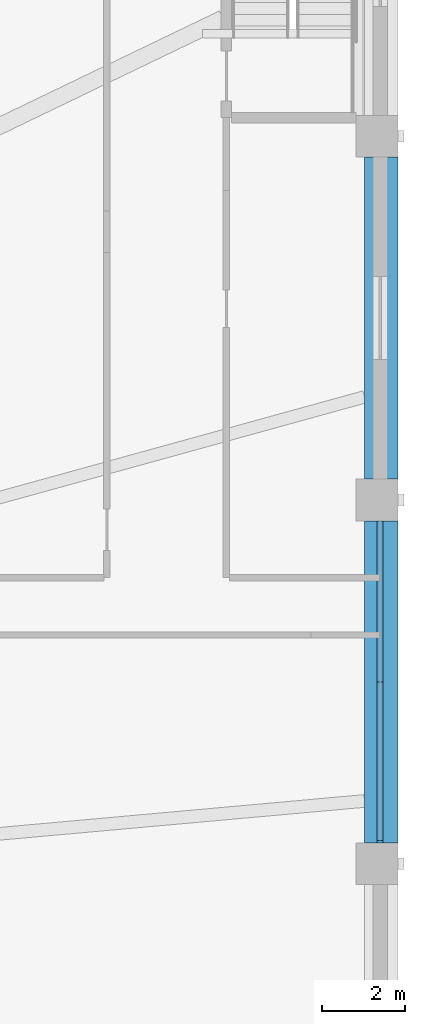
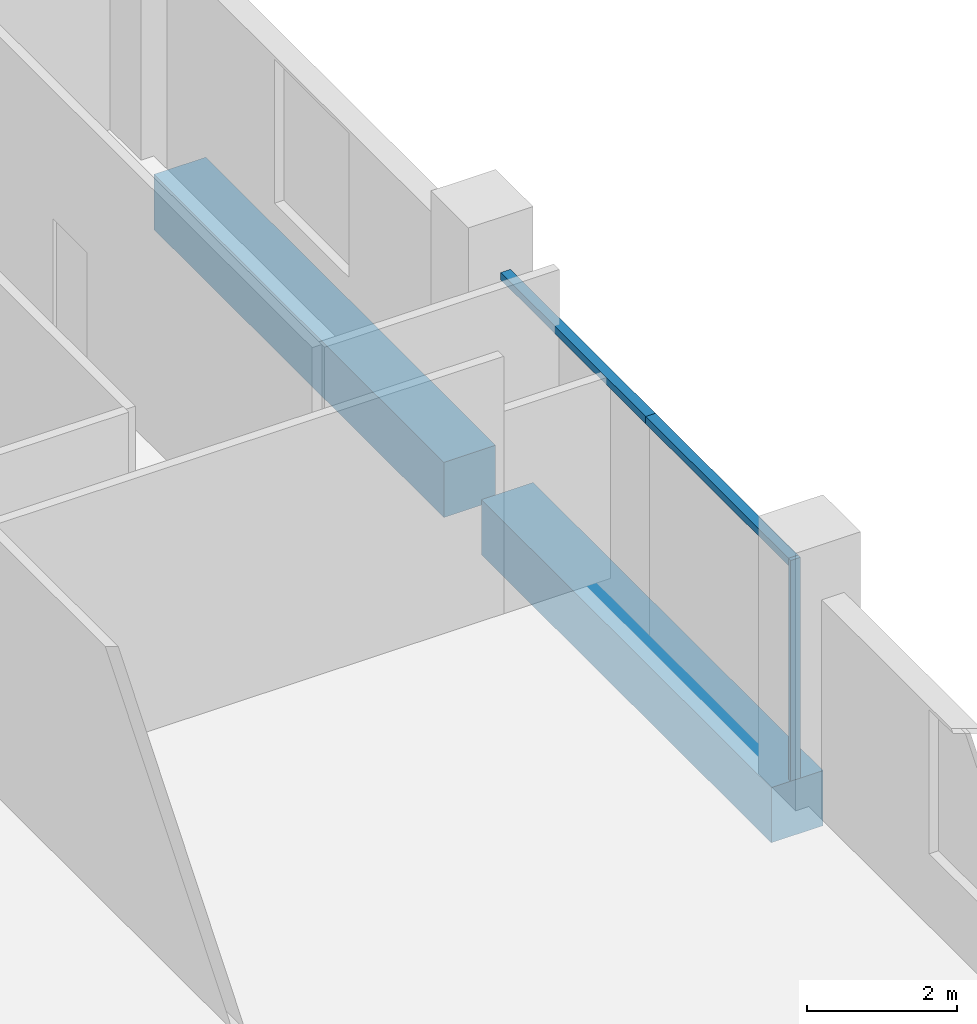
# One storey, part 9 of 33: 3 members, 2 beams, 1 element without a shape of its own.
"""IFC4 building model written with IfcOpenShell, lengths in metres."""

from ifc_helpers import new_model, si_unit, direction, frame, origin, origin_2d, place, context, subcontext, project, spatial, rectangle, extrude, material, layer, layer_set, material_profile, profile_set, type_object, element, aggregate, save


model = new_model("IFC4")

# Units and contexts
model_context = context("Model", 3, precision=1e-05, world=origin(), true_north=direction((0.0, 1.0)))
body_context = subcontext(model_context, "Body", "Model", "MODEL_VIEW")
ifc_project = project(units=[si_unit("LENGTHUNIT", "METRE"), si_unit("AREAUNIT", "SQUARE_METRE"), si_unit("VOLUMEUNIT", "CUBIC_METRE"), si_unit("PLANEANGLEUNIT", "RADIAN"), si_unit("MASSUNIT", "GRAM", prefix="KILO")], contexts=[model_context])

# Site, building, storey
site_placement = place(None, origin())
site = spatial("IfcSite", under=ifc_project, at=site_placement, CompositionType="ELEMENT")
building_placement = place(site_placement, origin())
building = spatial("IfcBuilding", under=site, at=building_placement, Name="Isthmus Gate Tower", CompositionType="ELEMENT")
storey_placement = place(building_placement, frame((0.0, 0.0, 22.5)))
storey = spatial("IfcBuildingStorey", under=building, at=storey_placement, Name="L03", CompositionType="ELEMENT", Elevation=22.5)

# Curtain wall, members
ifc_material_1 = material(Name="Aluminium, pale champagne anodised", Category="aluminium")
ifc_layer = layer(ifc_material_1, 0.14990234375)
ifc_layer_set = layer_set([ifc_layer], Name="CW-3 STOREFRONT CURTAIN WALL 150 DEEP")
curtain_wall_type = type_object("IfcCurtainWallType", Name="CW-3 STOREFRONT CURTAIN WALL 150 DEEP", PredefinedType="NOTDEFINED", material=ifc_layer_set)
curtain_wall_placement = place(storey_placement, origin())
curtain_wall = element("IfcCurtainWall", 1, at=curtain_wall_placement, inside=storey, type_object=curtain_wall_type, Name="CW-3 E L03", PredefinedType="NOTDEFINED")
ifc_material_2 = material(Name="Aluminium, pale champagne anodised", Category="aluminium")
ifc_material_profile_1 = material_profile(ifc_material_2, rectangle(XDim=0.06005859375, YDim=0.14990234375, at=origin_2d()), Name="60x150")
ifc_profile_set_1 = profile_set([ifc_material_profile_1], Name="Aluminium, pale champagne anodised")
member_type_1 = type_object("IfcMemberType", Name="CW-3 MULLION 60 X 150", PredefinedType="MULLION", material=ifc_profile_set_1)
member_1_placement = place(storey_placement, frame((51.574951171875, 9.280029296875, -0.300048828125), z_axis=(0.0, 0.0, 1.0), x_axis=(0.0, 1.0, 0.0)))
member_1 = element("IfcMember", 2, at=member_1_placement, type_object=member_type_1, Name="CW-3 mullion", PredefinedType="MULLION", context=body_context, shape_type="SweptSolid", body=[
    extrude(rectangle(XDim=0.06005859375, YDim=0.14990234375, at=origin_2d()), origin(), (0.0, 0.0, 1.0), 3.60009765625),
])
ifc_material_3 = material(Name="Aluminium, pale champagne anodised", Category="aluminium")
ifc_material_profile_2 = material_profile(ifc_material_3, rectangle(XDim=0.14990234375, YDim=0.1201171875, at=origin_2d()), Name="150x120")
ifc_profile_set_2 = profile_set([ifc_material_profile_2], Name="Aluminium, pale champagne anodised")
member_type_2 = type_object("IfcMemberType", Name="CW-3 TRANSOM 150 X 120", PredefinedType="USERDEFINED", material=ifc_profile_set_2)
member_2_placement = place(storey_placement, frame((51.574951171875, 9.31005859375, 3.239990234375), z_axis=(0.0, 1.0, 0.0), x_axis=(-1.0, 0.0, 0.0)))
member_2 = element("IfcMember", 3, at=member_2_placement, type_object=member_type_2, Name="CW-3 transom", ObjectType="TRANSOM", PredefinedType="USERDEFINED", context=body_context, shape_type="SweptSolid", body=[
    extrude(rectangle(XDim=0.14990234375, YDim=0.1201171875, at=origin_2d()), origin(), (0.0, 0.0, 1.0), 3.81494140625),
])
member_3_placement = place(storey_placement, frame((51.574951171875, 13.125, 3.239990234375), z_axis=(0.0, 1.0, 0.0), x_axis=(-1.0, 0.0, 0.0)))
member_3 = element("IfcMember", 4, at=member_3_placement, type_object=member_type_2, Name="CW-3 transom", ObjectType="TRANSOM", PredefinedType="USERDEFINED", context=body_context, shape_type="SweptSolid", body=[
    extrude(rectangle(XDim=0.14990234375, YDim=0.1201171875, at=origin_2d()), origin(), (0.0, 0.0, 1.0), 3.875),
])
aggregate(curtain_wall, [member_1, member_2, member_3])

# Beams
ifc_material_4 = material(Name="Concrete f'c 70 MPa", Category="concrete")
ifc_material_profile_3 = material_profile(ifc_material_4, rectangle(XDim=0.800048828125, YDim=0.89990234375, at=origin_2d()), Name="RC 800X900")
ifc_profile_set_3 = profile_set([ifc_material_profile_3], Name="Concrete f'c 70 MPa")
beam_type = type_object("IfcBeamType", Name="RC EDGE BEAM 800 X 900", PredefinedType="BEAM", material=ifc_profile_set_3)
for number, where, z_axis, x_axis, name in (
    (5, (51.60009765625, 25.75, -0.75), (0.0, -1.0, 0.0), (1.0, 0.0, 0.0), "str-edgebeam-L03-21"),
    (6, (51.60009765625, 17.0, -0.75), (0.0, -1.0, 0.0), (1.0, 0.0, 0.0), "str-edgebeam-L03-22"),
):
    element("IfcBeam", number, at=place(storey_placement, frame(where, z_axis=z_axis, x_axis=x_axis)), inside=storey, type_object=beam_type, Name=name, PredefinedType="BEAM", context=body_context, shape_type="SweptSolid", body=[
        extrude(rectangle(XDim=0.800048828125, YDim=0.89990234375, at=origin_2d()), origin(), (0.0, 0.0, 1.0), 7.75),
    ])

save(model, "model.ifc")
